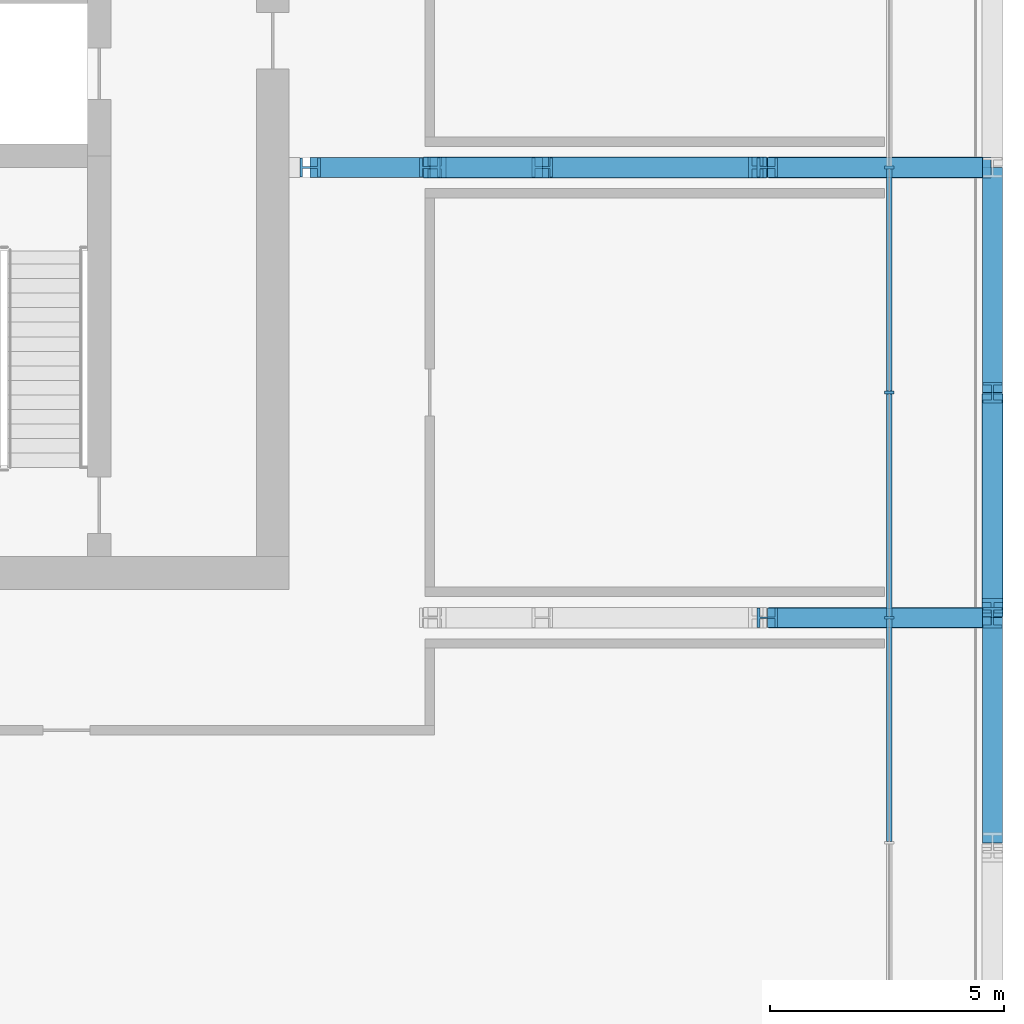
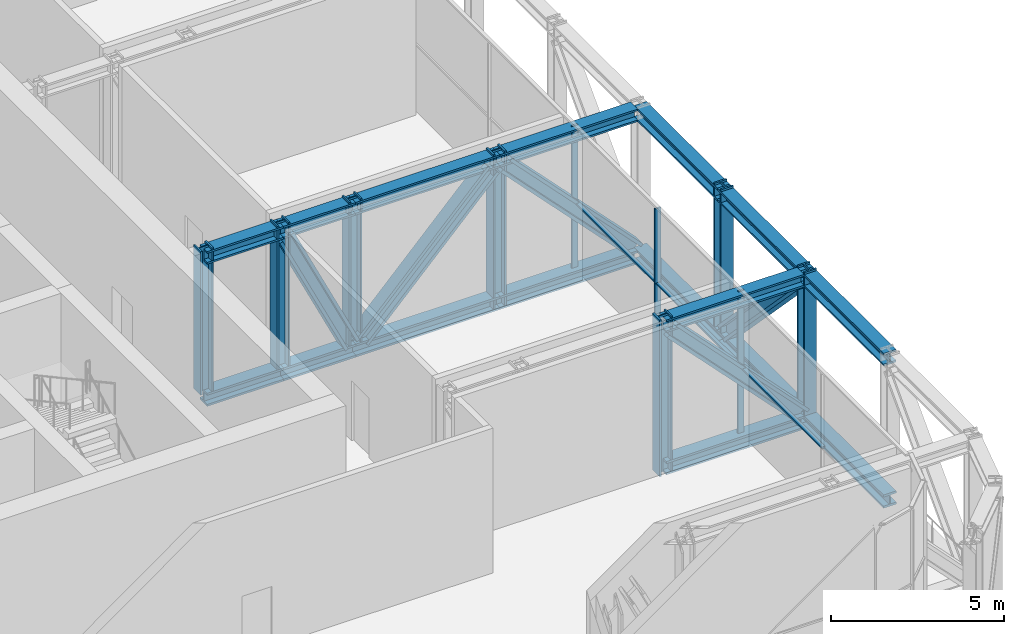
# One storey, part 9 of 30: 34 members, 1 element without a shape of its own.
"""IFC4 building model written with IfcOpenShell, lengths in metres."""

from ifc_helpers import new_model, si_unit, direction, frame, origin, origin_2d, place, context, subcontext, project, spatial, rectangle, i_section, extrude, material, layer, layer_set, material_profile, profile_set, type_object, element, aggregate, save


model = new_model("IFC4")

# Units and contexts
model_context = context("Model", 3, precision=1e-05, world=origin(), true_north=direction((0.0, 1.0)))
body_context = subcontext(model_context, "Body", "Model", "MODEL_VIEW")
ifc_project = project(units=[si_unit("LENGTHUNIT", "METRE"), si_unit("AREAUNIT", "SQUARE_METRE"), si_unit("VOLUMEUNIT", "CUBIC_METRE"), si_unit("PLANEANGLEUNIT", "RADIAN"), si_unit("MASSUNIT", "GRAM", prefix="KILO")], contexts=[model_context])

# Site, building, storey
site_placement = place(None, origin())
site = spatial("IfcSite", under=ifc_project, at=site_placement, CompositionType="ELEMENT")
building_placement = place(site_placement, origin())
building = spatial("IfcBuilding", under=site, at=building_placement, Name="Madar Terraces", CompositionType="ELEMENT")
storey_placement = place(building_placement, frame((0.0, 0.0, 173.5)))
storey = spatial("IfcBuildingStorey", under=building, at=storey_placement, Name="L45", CompositionType="ELEMENT", Elevation=173.5)

# Members
ifc_material_1 = material(Name="Steel ASTM A913 Grade 65", Category="steel")
ifc_material_profile_1 = material_profile(ifc_material_1, i_section(OverallWidth=0.421630859375, OverallDepth=0.46484375, WebThickness=0.044921875, FlangeThickness=0.072509765625, at=origin_2d()), Name="W14x398")
ifc_profile_set_1 = profile_set([ifc_material_profile_1], Name="Steel ASTM A913 Grade 65")
member_type_1 = type_object("IfcMemberType", Name="BC6 W14x398", PredefinedType="CHORD", material=ifc_profile_set_1)
member_1_placement = place(storey_placement, frame((62.39990234375, 9.60009765625, -0.1875), z_axis=(0.0, 1.0, 0.0), x_axis=(-1.0, 0.0, 0.0)))
element("IfcMember", 1, at=member_1_placement, inside=storey, type_object=member_type_1, Name="Exoskeleton truss ring bottom chord BC6", PredefinedType="CHORD", context=body_context, shape_type="SweptSolid", body=[
    extrude(i_section(OverallWidth=0.421630859375, OverallDepth=0.46484375, WebThickness=0.044921875, FlangeThickness=0.072509765625, at=origin_2d()), origin(), (0.0, 0.0, 1.0), 4.7998046875),
])
for number, where, z_axis, x_axis, name in (
    (2, (62.39990234375, 14.39990234375, -0.1875), (0.0, 1.0, 0.0), (-1.0, 0.0, 0.0), "Exoskeleton truss ring bottom chord BC6"),
    (3, (62.39990234375, 19.199951171875, -0.1875), (0.0, 1.0, 0.0), (-1.0, 0.0, 0.0), "Exoskeleton truss ring bottom chord BC6"),
):
    element("IfcMember", number, at=place(storey_placement, frame(where, z_axis=z_axis, x_axis=x_axis)), inside=storey, type_object=member_type_1, Name=name, PredefinedType="CHORD", context=body_context, shape_type="SweptSolid", body=[
        extrude(i_section(OverallWidth=0.421630859375, OverallDepth=0.46484375, WebThickness=0.044921875, FlangeThickness=0.072509765625, at=origin_2d()), origin(), (0.0, 0.0, 1.0), 4.800048828125),
    ])
for number, where, z_axis, x_axis, name in (
    (4, (62.189208984375, 14.39990234375, -0.1875), (-1.0, 0.0, 0.0), (0.0, -1.0, 0.0), "Exoskeleton truss cross E14.4 bottom chord BC6"),
    (5, (62.189208984375, 24.0, -0.1875), (-1.0, 0.0, 0.0), (0.0, -1.0, 0.0), "Exoskeleton truss cross E24 bottom chord BC6"),
):
    element("IfcMember", number, at=place(storey_placement, frame(where, z_axis=z_axis, x_axis=x_axis)), inside=storey, type_object=member_type_1, Name=name, PredefinedType="CHORD", context=body_context, shape_type="SweptSolid", body=[
        extrude(i_section(OverallWidth=0.421630859375, OverallDepth=0.46484375, WebThickness=0.044921875, FlangeThickness=0.072509765625, at=origin_2d()), origin(), (0.0, 0.0, 1.0), 4.589111328125),
    ])
member_2_placement = place(storey_placement, frame((57.60009765625, 24.0, -0.1875), z_axis=(-1.0, 0.0, 0.0), x_axis=(0.0, -1.0, 0.0)))
element("IfcMember", 6, at=member_2_placement, inside=storey, type_object=member_type_1, Name="Exoskeleton truss cross E24 bottom chord BC6", PredefinedType="CHORD", context=body_context, shape_type="SweptSolid", body=[
    extrude(i_section(OverallWidth=0.421630859375, OverallDepth=0.46484375, WebThickness=0.044921875, FlangeThickness=0.072509765625, at=origin_2d()), origin(), (0.0, 0.0, 1.0), 4.800048828125),
])
member_3_placement = place(storey_placement, frame((52.800048828125, 24.0, -0.1875), z_axis=(-1.0, 0.0, 0.0), x_axis=(0.0, -1.0, 0.0)))
element("IfcMember", 7, at=member_3_placement, inside=storey, type_object=member_type_1, Name="Exoskeleton truss cross E24 bottom chord BC6", PredefinedType="CHORD", context=body_context, shape_type="SweptSolid", body=[
    extrude(i_section(OverallWidth=0.421630859375, OverallDepth=0.46484375, WebThickness=0.044921875, FlangeThickness=0.072509765625, at=origin_2d()), origin(), (0.0, 0.0, 1.0), 2.400146484375),
])
member_4_placement = place(storey_placement, frame((50.39990234375, 24.0, -0.1875), z_axis=(-1.0, 0.0, 0.0), x_axis=(0.0, -1.0, 0.0)))
element("IfcMember", 8, at=member_4_placement, inside=storey, type_object=member_type_1, Name="Exoskeleton truss cross E24 bottom chord BC6", PredefinedType="CHORD", context=body_context, shape_type="SweptSolid", body=[
    extrude(i_section(OverallWidth=0.421630859375, OverallDepth=0.46484375, WebThickness=0.044921875, FlangeThickness=0.072509765625, at=origin_2d()), origin(), (0.0, 0.0, 1.0), 2.5498046875),
])

# Curtain wall, members
ifc_material_2 = material(Name="Glass, ceramic frit dark grey, with black aluminium frame", Category="aluminium")
ifc_layer = layer(ifc_material_2, 0.199951171875)
ifc_layer_set = layer_set([ifc_layer], Name="Facade curtain wall, tall glazing")
curtain_wall_type = type_object("IfcCurtainWallType", Name="Facade curtain wall, tall glazing", PredefinedType="NOTDEFINED", material=ifc_layer_set)
curtain_wall_placement = place(storey_placement, origin())
curtain_wall = element("IfcCurtainWall", 9, at=curtain_wall_placement, inside=storey, type_object=curtain_wall_type, Name="Outer skin curtain wall east bay 1", PredefinedType="NOTDEFINED")
ifc_material_3 = material(Name="Aluminium, black anodised", Category="aluminium")
ifc_material_profile_2 = material_profile(ifc_material_3, rectangle(XDim=0.199951171875, YDim=0.06005859375, at=origin_2d()), Name="Facade mullion 60x200")
ifc_profile_set_2 = profile_set([ifc_material_profile_2], Name="Aluminium, black anodised")
member_type_2 = type_object("IfcMemberType", Name="Facade mullion 60x200", PredefinedType="MULLION", material=ifc_profile_set_2)
member_5_placement = place(storey_placement, frame((60.199951171875, 14.39990234375, 0.0), z_axis=(0.0, 0.0, 1.0), x_axis=(-1.0, 0.0, 0.0)))
member_5 = element("IfcMember", 10, at=member_5_placement, type_object=member_type_2, Name="Mullion 2", PredefinedType="MULLION", context=body_context, shape_type="SweptSolid", body=[
    extrude(rectangle(XDim=0.199951171875, YDim=0.06005859375, at=origin_2d()), origin(), (0.0, 0.0, 1.0), 5.0400390625),
])
member_6_placement = place(storey_placement, frame((60.199951171875, 19.199951171875, 0.0), z_axis=(0.0, 0.0, 1.0), x_axis=(-1.0, 0.0, 0.0)))
member_6 = element("IfcMember", 11, at=member_6_placement, type_object=member_type_2, Name="Mullion 3", PredefinedType="MULLION", context=body_context, shape_type="SweptSolid", body=[
    extrude(rectangle(XDim=0.199951171875, YDim=0.06005859375, at=origin_2d()), origin(), (0.0, 0.0, 1.0), 5.0400390625),
])
member_7_placement = place(storey_placement, frame((60.199951171875, 24.0, 0.0), z_axis=(0.0, 0.0, 1.0), x_axis=(-1.0, 0.0, 0.0)))
member_7 = element("IfcMember", 12, at=member_7_placement, type_object=member_type_2, Name="Mullion 4", PredefinedType="MULLION", context=body_context, shape_type="SweptSolid", body=[
    extrude(rectangle(XDim=0.199951171875, YDim=0.06005859375, at=origin_2d()), origin(), (0.0, 0.0, 1.0), 5.0400390625),
])
ifc_material_4 = material(Name="Aluminium, black anodised", Category="aluminium")
ifc_material_profile_3 = material_profile(ifc_material_4, rectangle(XDim=0.1201171875, YDim=0.06005859375, at=origin_2d()), Name="Facade transom 60x120")
ifc_profile_set_3 = profile_set([ifc_material_profile_3], Name="Aluminium, black anodised")
member_type_3 = type_object("IfcMemberType", Name="Facade transom 60x120", PredefinedType="USERDEFINED", material=ifc_profile_set_3)
member_8_placement = place(storey_placement, frame((60.199951171875, 9.6298828125, 2.39990234375), z_axis=(0.0, 1.0, 0.0), x_axis=(-1.0, 0.0, 0.0)))
member_8 = element("IfcMember", 13, at=member_8_placement, type_object=member_type_3, Name="Transom 3", ObjectType="TRANSOM", PredefinedType="USERDEFINED", context=body_context, shape_type="SweptSolid", body=[
    extrude(rectangle(XDim=0.1201171875, YDim=0.06005859375, at=origin_2d()), origin(), (0.0, 0.0, 1.0), 4.740234375),
])
member_9_placement = place(storey_placement, frame((60.199951171875, 14.429931640625, 2.39990234375), z_axis=(0.0, 1.0, 0.0), x_axis=(-1.0, 0.0, 0.0)))
member_9 = element("IfcMember", 14, at=member_9_placement, type_object=member_type_3, Name="Transom 4", ObjectType="TRANSOM", PredefinedType="USERDEFINED", context=body_context, shape_type="SweptSolid", body=[
    extrude(rectangle(XDim=0.1201171875, YDim=0.06005859375, at=origin_2d()), origin(), (0.0, 0.0, 1.0), 4.739990234375),
])
member_10_placement = place(storey_placement, frame((60.199951171875, 19.22998046875, 2.39990234375), z_axis=(0.0, 1.0, 0.0), x_axis=(-1.0, 0.0, 0.0)))
member_10 = element("IfcMember", 15, at=member_10_placement, type_object=member_type_3, Name="Transom 5", ObjectType="TRANSOM", PredefinedType="USERDEFINED", context=body_context, shape_type="SweptSolid", body=[
    extrude(rectangle(XDim=0.1201171875, YDim=0.06005859375, at=origin_2d()), origin(), (0.0, 0.0, 1.0), 4.739990234375),
])
aggregate(curtain_wall, [member_5, member_6, member_7, member_8, member_9, member_10])

# Members
ifc_material_5 = material(Name="Steel ASTM A913 Grade 65", Category="steel")
ifc_material_profile_4 = material_profile(ifc_material_5, i_section(OverallWidth=0.41650390625, OverallDepth=0.444580078125, WebThickness=0.0390625, FlangeThickness=0.062744140625, at=origin_2d()), Name="W14x342")
ifc_profile_set_4 = profile_set([ifc_material_profile_4], Name="Steel ASTM A913 Grade 65")
member_type_4 = type_object("IfcMemberType", Name="TC6 W14x342", PredefinedType="CHORD", material=ifc_profile_set_4)
member_11_placement = place(storey_placement, frame((62.39990234375, 9.60009765625, 4.807861328125), z_axis=(0.0, 1.0, 0.0), x_axis=(-1.0, 0.0, 0.0)))
element("IfcMember", 16, at=member_11_placement, inside=storey, type_object=member_type_4, Name="Exoskeleton truss ring top chord TC6", PredefinedType="CHORD", context=body_context, shape_type="SweptSolid", body=[
    extrude(i_section(OverallWidth=0.41650390625, OverallDepth=0.444580078125, WebThickness=0.0390625, FlangeThickness=0.062744140625, at=origin_2d()), origin(), (0.0, 0.0, 1.0), 4.7998046875),
])
for number, where, z_axis, x_axis, name in (
    (17, (62.39990234375, 14.39990234375, 4.807861328125), (0.0, 1.0, 0.0), (-1.0, 0.0, 0.0), "Exoskeleton truss ring top chord TC6"),
    (18, (62.39990234375, 19.199951171875, 4.807861328125), (0.0, 1.0, 0.0), (-1.0, 0.0, 0.0), "Exoskeleton truss ring top chord TC6"),
):
    element("IfcMember", number, at=place(storey_placement, frame(where, z_axis=z_axis, x_axis=x_axis)), inside=storey, type_object=member_type_4, Name=name, PredefinedType="CHORD", context=body_context, shape_type="SweptSolid", body=[
        extrude(i_section(OverallWidth=0.41650390625, OverallDepth=0.444580078125, WebThickness=0.0390625, FlangeThickness=0.062744140625, at=origin_2d()), origin(), (0.0, 0.0, 1.0), 4.800048828125),
    ])
for number, where, z_axis, x_axis, name in (
    (19, (62.191650390625, 14.39990234375, 4.807861328125), (-1.0, 0.0, 0.0), (0.0, -1.0, 0.0), "Exoskeleton truss cross E14.4 top chord TC6"),
    (20, (62.191650390625, 24.0, 4.807861328125), (-1.0, 0.0, 0.0), (0.0, -1.0, 0.0), "Exoskeleton truss cross E24 top chord TC6"),
):
    element("IfcMember", number, at=place(storey_placement, frame(where, z_axis=z_axis, x_axis=x_axis)), inside=storey, type_object=member_type_4, Name=name, PredefinedType="CHORD", context=body_context, shape_type="SweptSolid", body=[
        extrude(i_section(OverallWidth=0.41650390625, OverallDepth=0.444580078125, WebThickness=0.0390625, FlangeThickness=0.062744140625, at=origin_2d()), origin(), (0.0, 0.0, 1.0), 4.591552734375),
    ])
member_12_placement = place(storey_placement, frame((57.60009765625, 24.0, 4.807861328125), z_axis=(-1.0, 0.0, 0.0), x_axis=(0.0, -1.0, 0.0)))
element("IfcMember", 21, at=member_12_placement, inside=storey, type_object=member_type_4, Name="Exoskeleton truss cross E24 top chord TC6", PredefinedType="CHORD", context=body_context, shape_type="SweptSolid", body=[
    extrude(i_section(OverallWidth=0.41650390625, OverallDepth=0.444580078125, WebThickness=0.0390625, FlangeThickness=0.062744140625, at=origin_2d()), origin(), (0.0, 0.0, 1.0), 4.800048828125),
])
member_13_placement = place(storey_placement, frame((52.800048828125, 24.0, 4.807861328125), z_axis=(-1.0, 0.0, 0.0), x_axis=(0.0, -1.0, 0.0)))
element("IfcMember", 22, at=member_13_placement, inside=storey, type_object=member_type_4, Name="Exoskeleton truss cross E24 top chord TC6", PredefinedType="CHORD", context=body_context, shape_type="SweptSolid", body=[
    extrude(i_section(OverallWidth=0.41650390625, OverallDepth=0.444580078125, WebThickness=0.0390625, FlangeThickness=0.062744140625, at=origin_2d()), origin(), (0.0, 0.0, 1.0), 2.400146484375),
])
member_14_placement = place(storey_placement, frame((50.39990234375, 24.0, 4.807861328125), z_axis=(-1.0, 0.0, 0.0), x_axis=(0.0, -1.0, 0.0)))
element("IfcMember", 23, at=member_14_placement, inside=storey, type_object=member_type_4, Name="Exoskeleton truss cross E24 top chord TC6", PredefinedType="CHORD", context=body_context, shape_type="SweptSolid", body=[
    extrude(i_section(OverallWidth=0.41650390625, OverallDepth=0.444580078125, WebThickness=0.0390625, FlangeThickness=0.062744140625, at=origin_2d()), origin(), (0.0, 0.0, 1.0), 2.5498046875),
])
ifc_material_6 = material(Name="Steel ASTM A913 Grade 65", Category="steel")
ifc_material_profile_5 = material_profile(ifc_material_6, i_section(OverallWidth=0.44189453125, OverallDepth=0.53076171875, WebThickness=0.06591796875, FlangeThickness=0.105712890625, at=origin_2d()), Name="W14x605")
ifc_profile_set_5 = profile_set([ifc_material_profile_5], Name="Steel ASTM A913 Grade 65")
member_type_5 = type_object("IfcMemberType", Name="TD6 W14x605", PredefinedType="BRACE", material=ifc_profile_set_5)
for number, where, z_axis, x_axis, name in (
    (24, (62.39990234375, 14.613525390625, 4.58544921875), (0.0, 0.692873133915, -0.721059512314), (-1.0, 0.0, 0.0), "Exoskeleton truss ring diagonal TD6"),
    (25, (62.1767578125, 14.39990234375, 0.044921875), (-0.692893291087, 0.0, 0.721040142549), (0.0, -1.0, 0.0), "Exoskeleton truss cross E14.4 diagonal TD6"),
    (26, (62.1767578125, 24.0, 0.044921875), (-0.692893291087, 0.0, 0.721040142549), (0.0, -1.0, 0.0), "Exoskeleton truss cross E24 diagonal TD6"),
    (27, (57.386474609375, 24.0, 4.58544921875), (-0.692873133915, 0.0, -0.721059512314), (0.0, -1.0, 0.0), "Exoskeleton truss cross E24 diagonal TD6"),
):
    element("IfcMember", number, at=place(storey_placement, frame(where, z_axis=z_axis, x_axis=x_axis)), inside=storey, type_object=member_type_5, Name=name, PredefinedType="BRACE", context=body_context, shape_type="SweptSolid", body=[
        extrude(i_section(OverallWidth=0.44189453125, OverallDepth=0.53076171875, WebThickness=0.06591796875, FlangeThickness=0.105712890625, at=origin_2d()), origin(), (0.0, 0.0, 1.0), 6.297119140625),
    ])
member_15_placement = place(storey_placement, frame((52.688232421875, 24.0, 0.044921875), z_axis=(-0.433044589969, 0.0, 0.901372499635), x_axis=(0.0, -1.0, 0.0)))
element("IfcMember", 28, at=member_15_placement, inside=storey, type_object=member_type_5, Name="Exoskeleton truss cross E24 diagonal TD6", PredefinedType="BRACE", context=body_context, shape_type="SweptSolid", body=[
    extrude(i_section(OverallWidth=0.44189453125, OverallDepth=0.53076171875, WebThickness=0.06591796875, FlangeThickness=0.105712890625, at=origin_2d()), origin(), (0.0, 0.0, 1.0), 5.037353515625),
])
ifc_material_7 = material(Name="Steel ASTM A913 Grade 65", Category="steel")
ifc_material_profile_6 = material_profile(ifc_material_7, i_section(OverallWidth=0.411376953125, OverallDepth=0.434326171875, WebThickness=0.035888671875, FlangeThickness=0.057373046875, at=origin_2d()), Name="W14x311")
ifc_profile_set_6 = profile_set([ifc_material_profile_6], Name="Steel ASTM A913 Grade 65")
member_type_6 = type_object("IfcMemberType", Name="TV6 W14x311", PredefinedType="POST", material=ifc_profile_set_6)
for number, where, z_axis, x_axis, name in (
    (29, (62.39990234375, 14.39990234375, 0.044921875), (0.0, 0.0, 1.0), (-1.0, 0.0, 0.0), "Exoskeleton truss ring post TV6"),
    (30, (62.39990234375, 19.199951171875, 0.044921875), (0.0, 0.0, 1.0), (-1.0, 0.0, 0.0), "Exoskeleton truss ring post TV6"),
):
    element("IfcMember", number, at=place(storey_placement, frame(where, z_axis=z_axis, x_axis=x_axis)), inside=storey, type_object=member_type_6, Name=name, PredefinedType="POST", context=body_context, shape_type="SweptSolid", body=[
        extrude(i_section(OverallWidth=0.411376953125, OverallDepth=0.434326171875, WebThickness=0.035888671875, FlangeThickness=0.057373046875, at=origin_2d()), origin(), (0.0, 0.0, 1.0), 5.05517578125),
    ])
for number, where, z_axis, x_axis, name in (
    (31, (57.60009765625, 14.39990234375, -0.419921875), (0.0, 0.0, 1.0), (0.0, 1.0, 0.0), "Exoskeleton truss cross E14.4 post TV6"),
    (32, (57.60009765625, 24.0, -0.419921875), (0.0, 0.0, 1.0), (0.0, 1.0, 0.0), "Exoskeleton truss cross E24 post TV6"),
):
    element("IfcMember", number, at=place(storey_placement, frame(where, z_axis=z_axis, x_axis=x_axis)), inside=storey, type_object=member_type_6, Name=name, PredefinedType="POST", context=body_context, shape_type="SweptSolid", body=[
        extrude(i_section(OverallWidth=0.411376953125, OverallDepth=0.434326171875, WebThickness=0.035888671875, FlangeThickness=0.057373046875, at=origin_2d()), origin(), (0.0, 0.0, 1.0), 5.52001953125),
    ])
for number, where, z_axis, x_axis, name in (
    (33, (52.800048828125, 24.0, 0.044921875), (0.0, 0.0, 1.0), (0.0, 1.0, 0.0), "Exoskeleton truss cross E24 post TV6"),
    (34, (50.39990234375, 24.0, 0.044921875), (0.0, 0.0, 1.0), (0.0, 1.0, 0.0), "Exoskeleton truss cross E24 post TV6"),
    (35, (47.85009765625, 24.0, 0.044921875), (0.0, 0.0, 1.0), (0.0, 1.0, 0.0), "Exoskeleton truss cross E24 post TV6"),
):
    element("IfcMember", number, at=place(storey_placement, frame(where, z_axis=z_axis, x_axis=x_axis)), inside=storey, type_object=member_type_6, Name=name, PredefinedType="POST", context=body_context, shape_type="SweptSolid", body=[
        extrude(i_section(OverallWidth=0.411376953125, OverallDepth=0.434326171875, WebThickness=0.035888671875, FlangeThickness=0.057373046875, at=origin_2d()), origin(), (0.0, 0.0, 1.0), 5.05517578125),
    ])

save(model, "model.ifc")
